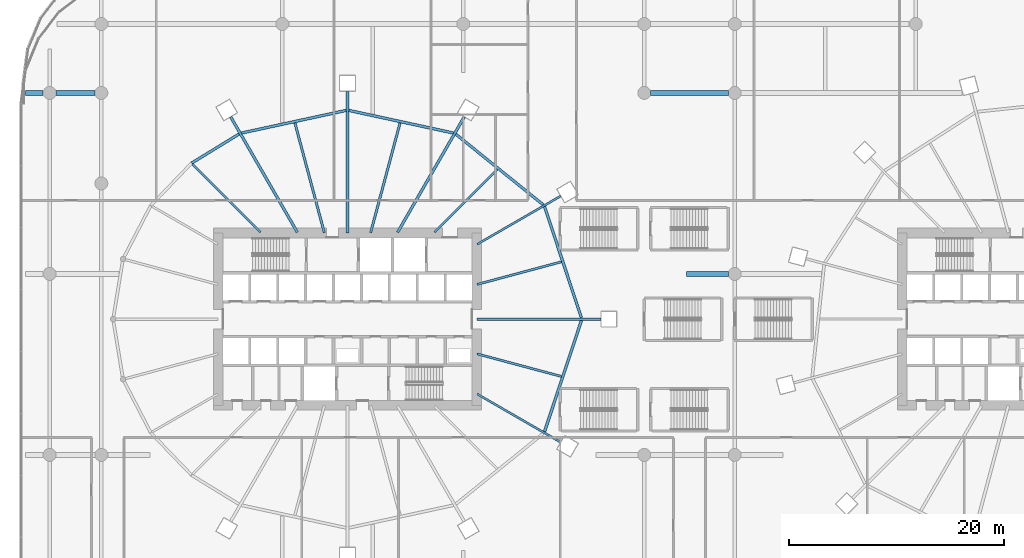
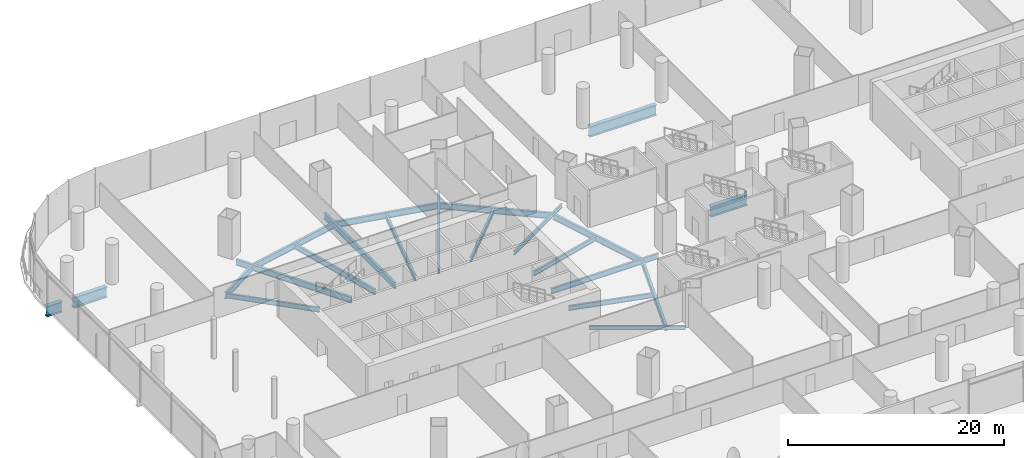
# One storey, part 8 of 43: 22 beams.
"""IFC4 building model written with IfcOpenShell, lengths in metres."""

from ifc_helpers import new_model, si_unit, direction, frame, origin, origin_2d, place, context, subcontext, project, spatial, i_section, extrude, material, material_profile, profile_set, type_object, element, save


model = new_model("IFC4")

# Units and contexts
model_context = context("Model", 3, precision=1e-05, world=origin(), true_north=direction((0.0, 1.0)))
body_context = subcontext(model_context, "Body", "Model", "MODEL_VIEW")
ifc_project = project(units=[si_unit("LENGTHUNIT", "METRE"), si_unit("AREAUNIT", "SQUARE_METRE"), si_unit("VOLUMEUNIT", "CUBIC_METRE"), si_unit("PLANEANGLEUNIT", "RADIAN"), si_unit("MASSUNIT", "GRAM", prefix="KILO")], contexts=[model_context])

# Site, building, storey
site_placement = place(None, origin())
site = spatial("IfcSite", under=ifc_project, at=site_placement, CompositionType="ELEMENT")
building_placement = place(site_placement, origin())
building = spatial("IfcBuilding", under=site, at=building_placement, Name="Rimbun Link Towers", CompositionType="ELEMENT")
storey_placement = place(building_placement, frame((0.0, 0.0, 12.0)))
storey = spatial("IfcBuildingStorey", under=building, at=storey_placement, Name="L02", CompositionType="ELEMENT", Elevation=12.0)

# Beams
ifc_material_1 = material(Name="Steel S355J2", Category="steel")
ifc_material_profile_1 = material_profile(ifc_material_1, i_section(OverallWidth=0.449951171875, OverallDepth=1.199951171875, WebThickness=0.030029296875, FlangeThickness=0.044921875, at=origin_2d()), Name="PG 1200x450x30/45")
ifc_profile_set_1 = profile_set([ifc_material_profile_1], Name="Steel S355J2")
beam_type_1 = type_object("IfcBeamType", Name="PG 1200x450x30/45", PredefinedType="BEAM", material=ifc_profile_set_1)
beam_1_placement = place(storey_placement, frame((-0.300048828125, 4.199951171875, -0.89990234375), z_axis=(1.0, 0.0, 0.0), x_axis=(0.0, 1.0, 0.0)))
element("IfcBeam", 1, at=beam_1_placement, inside=storey, type_object=beam_type_1, Name="Grid beam L02 +4.2", PredefinedType="BEAM", context=body_context, shape_type="SweptSolid", body=[
    extrude(i_section(OverallWidth=0.449951171875, OverallDepth=1.199951171875, WebThickness=0.030029296875, FlangeThickness=0.044921875, at=origin_2d()), origin(), (0.0, 0.0, 1.0), 3.900146484375),
])
beam_2_placement = place(storey_placement, frame((-61.649169921875, 21.0, -0.89990234375), z_axis=(1.0, 0.0, 0.0), x_axis=(0.0, 1.0, 0.0)))
element("IfcBeam", 2, at=beam_2_placement, inside=storey, type_object=beam_type_1, Name="Grid beam L02 +21.0", PredefinedType="BEAM", context=body_context, shape_type="SweptSolid", body=[
    extrude(i_section(OverallWidth=0.449951171875, OverallDepth=1.199951171875, WebThickness=0.030029296875, FlangeThickness=0.044921875, at=origin_2d()), origin(), (0.0, 0.0, 1.0), 1.649169921875),
])
beam_3_placement = place(storey_placement, frame((-58.800048828125, 21.0, -0.89990234375), z_axis=(1.0, 0.0, 0.0), x_axis=(0.0, 1.0, 0.0)))
element("IfcBeam", 3, at=beam_3_placement, inside=storey, type_object=beam_type_1, Name="Grid beam L02 +21.0", PredefinedType="BEAM", context=body_context, shape_type="SweptSolid", body=[
    extrude(i_section(OverallWidth=0.449951171875, OverallDepth=1.199951171875, WebThickness=0.030029296875, FlangeThickness=0.044921875, at=origin_2d()), origin(), (0.0, 0.0, 1.0), 3.60009765625),
])
beam_4_placement = place(storey_placement, frame((-3.60009765625, 21.0, -0.89990234375), z_axis=(1.0, 0.0, 0.0), x_axis=(0.0, 1.0, 0.0)))
element("IfcBeam", 4, at=beam_4_placement, inside=storey, type_object=beam_type_1, Name="Grid beam L02 +21.0", PredefinedType="BEAM", context=body_context, shape_type="SweptSolid", body=[
    extrude(i_section(OverallWidth=0.449951171875, OverallDepth=1.199951171875, WebThickness=0.030029296875, FlangeThickness=0.044921875, at=origin_2d()), origin(), (0.0, 0.0, 1.0), 7.2001953125),
])
ifc_material_2 = material(Name="Steel S355J2", Category="steel")
ifc_material_profile_2 = material_profile(ifc_material_2, i_section(OverallWidth=0.18994140625, OverallDepth=0.453369140625, WebThickness=0.008544921875, FlangeThickness=0.0126953125, at=origin_2d()), Name="UB 457x191x67")
ifc_profile_set_2 = profile_set([ifc_material_profile_2], Name="Steel S355J2")
beam_type_2 = type_object("IfcBeamType", Name="UB 457x191x67", PredefinedType="BEAM", material=ifc_profile_set_2)
for number, where, z_axis, x_axis, name in (
    (5, (-19.70166015625, 6.9560546875, -0.526611328125), (0.866022633403, 0.500004798411, 0.0), (-0.500004798411, 0.866022633403, 0.0), "Radial beam T1 L02 02"),
    (6, (-19.70166015625, -6.9560546875, -0.526611328125), (0.866022633403, -0.500004798411, 0.0), (0.500004798411, 0.866022633403, 0.0), "Radial beam T1 L02 22"),
):
    element("IfcBeam", number, at=place(storey_placement, frame(where, z_axis=z_axis, x_axis=x_axis)), inside=storey, type_object=beam_type_2, Name=name, PredefinedType="BEAM", context=body_context, shape_type="SweptSolid", body=[
        extrude(i_section(OverallWidth=0.18994140625, OverallDepth=0.453369140625, WebThickness=0.008544921875, FlangeThickness=0.0126953125, at=origin_2d()), origin(), (0.0, 0.0, 1.0), 8.93212890625),
    ])
ifc_material_3 = material(Name="Steel S355J2", Category="steel")
ifc_material_profile_3 = material_profile(ifc_material_3, i_section(OverallWidth=0.209228515625, OverallDepth=0.533203125, WebThickness=0.010009765625, FlangeThickness=0.015625, at=origin_2d()), Name="UB 533x210x92")
ifc_profile_set_3 = profile_set([ifc_material_profile_3], Name="Steel S355J2")
beam_type_3 = type_object("IfcBeamType", Name="UB 533x210x92", PredefinedType="BEAM", material=ifc_profile_set_3)
beam_5_placement = place(storey_placement, frame((-19.721923828125, 3.222900390625, -0.566650390625), z_axis=(0.965927890386, 0.258811341663, 0.0), x_axis=(-0.258811341663, 0.965927890386, 0.0)))
element("IfcBeam", 7, at=beam_5_placement, inside=storey, type_object=beam_type_3, Name="Radial beam T1 L02 01", PredefinedType="BEAM", context=body_context, shape_type="SweptSolid", body=[
    extrude(i_section(OverallWidth=0.209228515625, OverallDepth=0.533203125, WebThickness=0.010009765625, FlangeThickness=0.015625, at=origin_2d()), origin(), (0.0, 0.0, 1.0), 8.10791015625),
])
beam_6_placement = place(storey_placement, frame((-23.67529296875, 8.07470703125, -0.566650390625), z_axis=(0.707106781187, 0.707106781187, 0.0), x_axis=(-0.707106781187, 0.707106781187, 0.0)))
element("IfcBeam", 8, at=beam_6_placement, inside=storey, type_object=beam_type_3, Name="Radial beam T1 L02 03", PredefinedType="BEAM", context=body_context, shape_type="SweptSolid", body=[
    extrude(i_section(OverallWidth=0.209228515625, OverallDepth=0.533203125, WebThickness=0.010009765625, FlangeThickness=0.015625, at=origin_2d()), origin(), (0.0, 0.0, 1.0), 8.239501953125),
])
beam_7_placement = place(storey_placement, frame((-39.82470703125, 8.07470703125, -0.566650390625), z_axis=(-0.707106781187, 0.707106781187, 0.0), x_axis=(-0.707106781187, -0.707106781187, 0.0)))
element("IfcBeam", 9, at=beam_7_placement, inside=storey, type_object=beam_type_3, Name="Radial beam T1 L02 09", PredefinedType="BEAM", context=body_context, shape_type="SweptSolid", body=[
    extrude(i_section(OverallWidth=0.209228515625, OverallDepth=0.533203125, WebThickness=0.010009765625, FlangeThickness=0.015625, at=origin_2d()), origin(), (0.0, 0.0, 1.0), 8.9287109375),
])
beam_8_placement = place(storey_placement, frame((-19.721923828125, -3.222900390625, -0.566650390625), z_axis=(0.965927890386, -0.258811341663, 0.0), x_axis=(0.258811341663, 0.965927890386, 0.0)))
element("IfcBeam", 10, at=beam_8_placement, inside=storey, type_object=beam_type_3, Name="Radial beam T1 L02 23", PredefinedType="BEAM", context=body_context, shape_type="SweptSolid", body=[
    extrude(i_section(OverallWidth=0.209228515625, OverallDepth=0.533203125, WebThickness=0.010009765625, FlangeThickness=0.015625, at=origin_2d()), origin(), (0.0, 0.0, 1.0), 8.10791015625),
])
ifc_material_4 = material(Name="Steel S355J2", Category="steel")
ifc_material_profile_4 = material_profile(ifc_material_4, i_section(OverallWidth=0.2275390625, OverallDepth=0.6025390625, WebThickness=0.010498046875, FlangeThickness=0.014892578125, at=origin_2d()), Name="UB 610x229x101")
ifc_profile_set_4 = profile_set([ifc_material_profile_4], Name="Steel S355J2")
beam_type_4 = type_object("IfcBeamType", Name="UB 610x229x101", PredefinedType="BEAM", material=ifc_profile_set_4)
beam_9_placement = place(storey_placement, frame((-19.7490234375, 0.0, -0.601318359375), z_axis=(1.0, 0.0, 0.0), x_axis=(0.0, 1.0, 0.0)))
element("IfcBeam", 11, at=beam_9_placement, inside=storey, type_object=beam_type_4, Name="Radial beam T1 L02 00", PredefinedType="BEAM", context=body_context, shape_type="SweptSolid", body=[
    extrude(i_section(OverallWidth=0.2275390625, OverallDepth=0.6025390625, WebThickness=0.010498046875, FlangeThickness=0.014892578125, at=origin_2d()), origin(), (0.0, 0.0, 1.0), 11.51171875),
])
for number, where, z_axis, x_axis, name in (
    (12, (-29.598388671875, 8.030517578125, -0.601318359375), (0.258844096103, 0.965919113545, 0.0), (-0.965919113545, 0.258844096103, 0.0), "Radial beam T1 L02 05"),
    (13, (-33.901611328125, 8.030517578125, -0.601318359375), (-0.258844096103, 0.965919113545, 0.0), (-0.965919113545, -0.258844096103, 0.0), "Radial beam T1 L02 07"),
):
    element("IfcBeam", number, at=place(storey_placement, frame(where, z_axis=z_axis, x_axis=x_axis)), inside=storey, type_object=beam_type_4, Name=name, PredefinedType="BEAM", context=body_context, shape_type="SweptSolid", body=[
        extrude(i_section(OverallWidth=0.2275390625, OverallDepth=0.6025390625, WebThickness=0.010498046875, FlangeThickness=0.014892578125, at=origin_2d()), origin(), (0.0, 0.0, 1.0), 10.544921875),
    ])
ifc_material_5 = material(Name="Steel S355J2", Category="steel")
ifc_material_profile_5 = material_profile(ifc_material_5, i_section(OverallWidth=0.253662109375, OverallDepth=0.68359375, WebThickness=0.012451171875, FlangeThickness=0.01904296875, at=origin_2d()), Name="UB 686x254x140")
ifc_profile_set_5 = profile_set([ifc_material_profile_5], Name="Steel S355J2")
beam_type_5 = type_object("IfcBeamType", Name="UB 686x254x140", PredefinedType="BEAM", material=ifc_profile_set_5)
beam_10_placement = place(storey_placement, frame((-27.093994140625, 8.064208984375, -0.641845703125), z_axis=(0.499992594562, 0.866029679274, 0.0), x_axis=(-0.866029679274, 0.499992594562, 0.0)))
element("IfcBeam", 14, at=beam_10_placement, inside=storey, type_object=beam_type_5, Name="Radial beam T1 L02 04", PredefinedType="BEAM", context=body_context, shape_type="SweptSolid", body=[
    extrude(i_section(OverallWidth=0.253662109375, OverallDepth=0.68359375, WebThickness=0.012451171875, FlangeThickness=0.01904296875, at=origin_2d()), origin(), (0.0, 0.0, 1.0), 12.360595703125),
])
beam_11_placement = place(storey_placement, frame((-31.75, 8.0009765625, -0.641845703125), z_axis=(0.0, 1.0, 0.0), x_axis=(-1.0, 0.0, 0.0)))
element("IfcBeam", 15, at=beam_11_placement, inside=storey, type_object=beam_type_5, Name="Radial beam T1 L02 06", PredefinedType="BEAM", context=body_context, shape_type="SweptSolid", body=[
    extrude(i_section(OverallWidth=0.253662109375, OverallDepth=0.68359375, WebThickness=0.012451171875, FlangeThickness=0.01904296875, at=origin_2d()), origin(), (0.0, 0.0, 1.0), 13.1533203125),
])
beam_12_placement = place(storey_placement, frame((-36.406005859375, 8.064208984375, -0.641845703125), z_axis=(-0.499992594562, 0.866029679274, 0.0), x_axis=(-0.866029679274, -0.499992594562, 0.0)))
element("IfcBeam", 16, at=beam_12_placement, inside=storey, type_object=beam_type_5, Name="Radial beam T1 L02 08", PredefinedType="BEAM", context=body_context, shape_type="SweptSolid", body=[
    extrude(i_section(OverallWidth=0.253662109375, OverallDepth=0.68359375, WebThickness=0.012451171875, FlangeThickness=0.01904296875, at=origin_2d()), origin(), (0.0, 0.0, 1.0), 12.360595703125),
])
beam_13_placement = place(storey_placement, frame((-10.02880859375, 0.11474609375, -0.641845703125), z_axis=(-0.314841882336, 0.949144135064, 0.0), x_axis=(-0.949144135064, -0.314841882336, 0.0)))
element("IfcBeam", 17, at=beam_13_placement, inside=storey, type_object=beam_type_5, Name="Edge beam T1 L02 00-02", PredefinedType="BEAM", context=body_context, shape_type="SweptSolid", body=[
    extrude(i_section(OverallWidth=0.253662109375, OverallDepth=0.68359375, WebThickness=0.012451171875, FlangeThickness=0.01904296875, at=origin_2d()), origin(), (0.0, 0.0, 1.0), 10.889404296875),
])
beam_14_placement = place(storey_placement, frame((-13.568115234375, 10.60791015625, -0.641845703125), z_axis=(-0.778006680284, 0.628256003102, 0.0), x_axis=(-0.628256003102, -0.778006680284, 0.0)))
element("IfcBeam", 18, at=beam_14_placement, inside=storey, type_object=beam_type_5, Name="Edge beam T1 L02 02-04", PredefinedType="BEAM", context=body_context, shape_type="SweptSolid", body=[
    extrude(i_section(OverallWidth=0.253662109375, OverallDepth=0.68359375, WebThickness=0.012451171875, FlangeThickness=0.01904296875, at=origin_2d()), origin(), (0.0, 0.0, 1.0), 10.4404296875),
])
for number, where, z_axis, x_axis, name in (
    (19, (-21.922607421875, 17.27685546875, -0.641845703125), (-0.977390124833, 0.211443949734, 0.0), (-0.211443949734, -0.977390124833, 0.0), "Edge beam T1 L02 04-06"),
    (20, (-31.877685546875, 19.375244140625, -0.641845703125), (-0.977390124833, -0.211443949734, 0.0), (0.211443949734, -0.977390124833, 0.0), "Edge beam T1 L02 06-08"),
):
    element("IfcBeam", number, at=place(storey_placement, frame(where, z_axis=z_axis, x_axis=x_axis)), inside=storey, type_object=beam_type_5, Name=name, PredefinedType="BEAM", context=body_context, shape_type="SweptSolid", body=[
        extrude(i_section(OverallWidth=0.253662109375, OverallDepth=0.68359375, WebThickness=0.012451171875, FlangeThickness=0.01904296875, at=origin_2d()), origin(), (0.0, 0.0, 1.0), 9.924072265625),
    ])
beam_15_placement = place(storey_placement, frame((-41.8203125, 17.179931640625, -0.641845703125), z_axis=(-0.852707458773, -0.522388734328, 0.0), x_axis=(0.522388734328, -0.852707458773, 0.0)))
element("IfcBeam", 21, at=beam_15_placement, inside=storey, type_object=beam_type_5, Name="Edge beam T1 L02 08", PredefinedType="BEAM", context=body_context, shape_type="SweptSolid", body=[
    extrude(i_section(OverallWidth=0.253662109375, OverallDepth=0.68359375, WebThickness=0.012451171875, FlangeThickness=0.01904296875, at=origin_2d()), origin(), (0.0, 0.0, 1.0), 5.153076171875),
])
beam_16_placement = place(storey_placement, frame((-13.457275390625, -10.450439453125, -0.641845703125), z_axis=(0.314841882336, 0.949144135064, 0.0), x_axis=(-0.949144135064, 0.314841882336, 0.0)))
element("IfcBeam", 22, at=beam_16_placement, inside=storey, type_object=beam_type_5, Name="Edge beam T1 L02 22-00", PredefinedType="BEAM", context=body_context, shape_type="SweptSolid", body=[
    extrude(i_section(OverallWidth=0.253662109375, OverallDepth=0.68359375, WebThickness=0.012451171875, FlangeThickness=0.01904296875, at=origin_2d()), origin(), (0.0, 0.0, 1.0), 10.889404296875),
])

save(model, "model.ifc")
